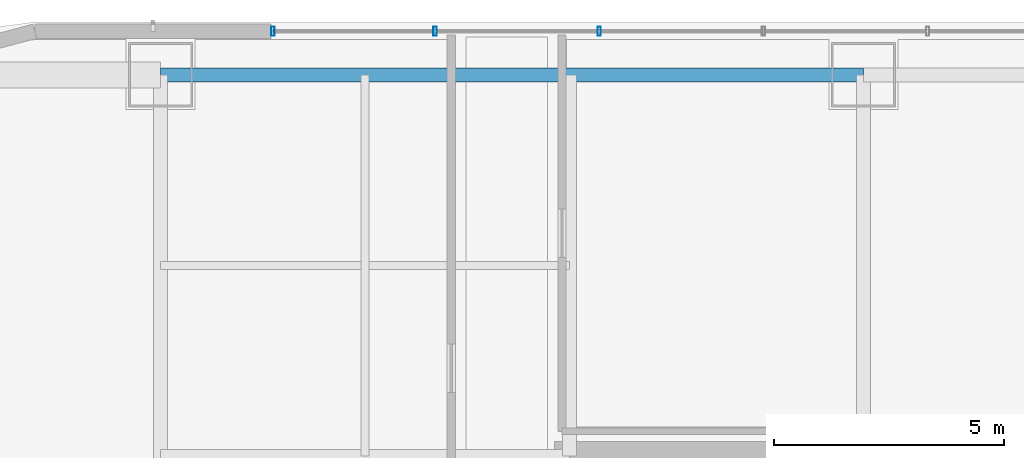
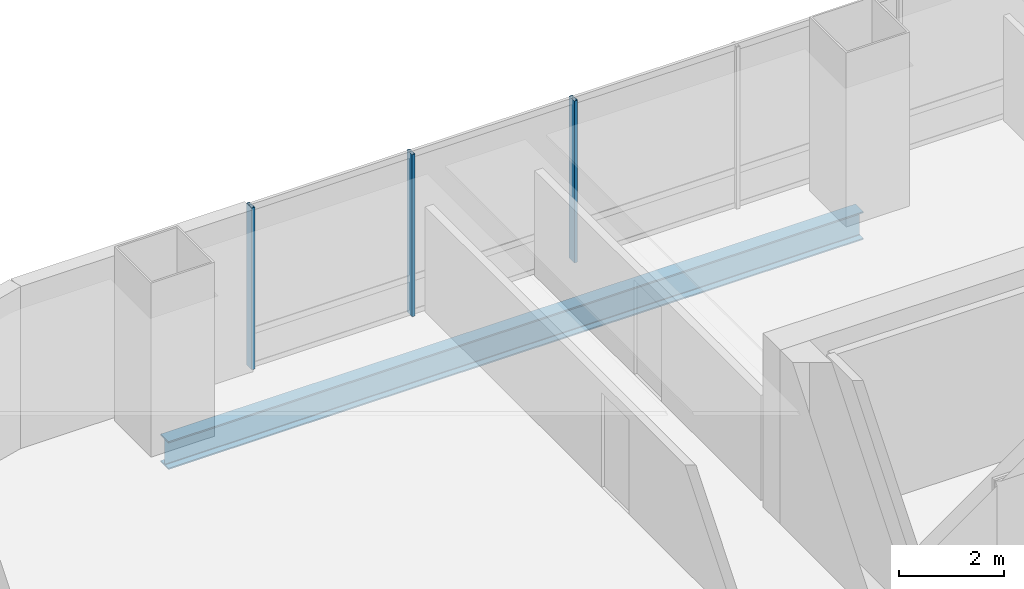
# One storey, part 22 of 46: 3 members, 1 beam, 1 element without a shape of its own.
"""IFC4 building model written with IfcOpenShell, lengths in metres."""

from ifc_helpers import new_model, si_unit, direction, frame, origin, origin_2d, place, context, subcontext, project, spatial, hollow_rectangle, i_section, extrude, material, material_profile, profile_set, type_object, element, aggregate, save


model = new_model("IFC4")

# Units and contexts
model_context = context("Model", 3, precision=1e-05, world=origin(), true_north=direction((0.0, 1.0)))
body_context = subcontext(model_context, "Body", "Model", "MODEL_VIEW")
ifc_project = project(units=[si_unit("LENGTHUNIT", "METRE"), si_unit("AREAUNIT", "SQUARE_METRE"), si_unit("VOLUMEUNIT", "CUBIC_METRE"), si_unit("PLANEANGLEUNIT", "RADIAN"), si_unit("MASSUNIT", "GRAM", prefix="KILO")], contexts=[model_context])

# Site, building, storey
site_placement = place(None, origin())
site = spatial("IfcSite", under=ifc_project, at=site_placement, CompositionType="ELEMENT")
building_placement = place(site_placement, origin())
building = spatial("IfcBuilding", under=site, at=building_placement, Name="Punatoya Terracotta Tower", CompositionType="ELEMENT")
storey_placement = place(building_placement, frame((0.0, 0.0, 200.550048828125)))
storey = spatial("IfcBuildingStorey", under=building, at=storey_placement, Name="L47", CompositionType="ELEMENT", Elevation=200.550048828125)

# Beam
ifc_material_1 = material(Name="Steel S355", Category="steel")
ifc_material_profile_1 = material_profile(ifc_material_1, i_section(OverallWidth=0.300048828125, OverallDepth=0.64990234375, WebThickness=0.01611328125, FlangeThickness=0.031005859375, FilletRadius=0.01806640625, at=origin_2d()))
ifc_profile_set_1 = profile_set([ifc_material_profile_1], Name="Steel S355")
beam_type = type_object("IfcBeamType", Name="BM-PRI-650", PredefinedType="BEAM", material=ifc_profile_set_1)
beam_placement = place(storey_placement, frame((-19.10009765625, 17.5, -0.545166015625), z_axis=(1.0, 0.0, 0.0), x_axis=(0.0, 1.0, 0.0)))
element("IfcBeam", 1, at=beam_placement, inside=storey, type_object=beam_type, Name="BM-L47-RG-N1", PredefinedType="BEAM", context=body_context, shape_type="SweptSolid", body=[
    extrude(i_section(OverallWidth=0.300048828125, OverallDepth=0.64990234375, WebThickness=0.01611328125, FlangeThickness=0.031005859375, FilletRadius=0.01806640625, at=origin_2d()), origin(), (0.0, 0.0, 1.0), 15.300048828125),
])

# Curtain wall, members
ifc_material_2 = material(Name="Aluminium 6063-T6 + Double Low-E Glass", Category="aluminium")
curtain_wall_type = type_object("IfcCurtainWallType", Name="CW-M2", PredefinedType="NOTDEFINED", material=ifc_material_2)
curtain_wall_placement = place(storey_placement, origin())
curtain_wall = element("IfcCurtainWall", 2, at=curtain_wall_placement, inside=storey, type_object=curtain_wall_type, Name="L47 Curtain Wall CW-L47-N09-1", PredefinedType="NOTDEFINED")
ifc_material_3 = material(Name="Aluminium 6063-T6", Category="aluminium")
ifc_material_profile_2 = material_profile(ifc_material_3, hollow_rectangle(XDim=0.072021484375, YDim=0.195068359375, WallThickness=0.00439453125, at=origin_2d()))
ifc_profile_set_2 = profile_set([ifc_material_profile_2], Name="Aluminium 6063-T6")
member_type = type_object("IfcMemberType", Name="CW-MUL-M2", PredefinedType="MULLION", material=ifc_profile_set_2)
member_1_placement = place(storey_placement, frame((-9.550048828125, 18.449951171875, 0.0), z_axis=(0.0, 0.0, 1.0), x_axis=(1.0, 0.0, 0.0)))
member_1 = element("IfcMember", 3, at=member_1_placement, type_object=member_type, Name="CW-L47-N09-1 Mullion 06", PredefinedType="MULLION", context=body_context, shape_type="SweptSolid", body=[
    extrude(hollow_rectangle(XDim=0.072021484375, YDim=0.195068359375, WallThickness=0.00439453125, at=origin_2d()), origin(), (0.0, 0.0, 1.0), 3.77001953125),
])
member_2_placement = place(storey_placement, frame((-13.125, 18.449951171875, 0.0), z_axis=(0.0, 0.0, 1.0), x_axis=(1.0, 0.0, 0.0)))
member_2 = element("IfcMember", 4, at=member_2_placement, type_object=member_type, Name="CW-L47-N09-1 Mullion 07", PredefinedType="MULLION", context=body_context, shape_type="SweptSolid", body=[
    extrude(hollow_rectangle(XDim=0.072021484375, YDim=0.195068359375, WallThickness=0.00439453125, at=origin_2d()), origin(), (0.0, 0.0, 1.0), 3.77001953125),
])
member_3_placement = place(storey_placement, frame((-16.655029296875, 18.449951171875, 0.0), z_axis=(0.0, 0.0, 1.0), x_axis=(1.0, 0.0, 0.0)))
member_3 = element("IfcMember", 5, at=member_3_placement, type_object=member_type, Name="CW-L47-N09-1 Mullion 08", PredefinedType="MULLION", context=body_context, shape_type="SweptSolid", body=[
    extrude(hollow_rectangle(XDim=0.072021484375, YDim=0.195068359375, WallThickness=0.00439453125, at=origin_2d()), origin(), (0.0, 0.0, 1.0), 3.77001953125),
])
aggregate(curtain_wall, [member_1, member_2, member_3])

save(model, "model.ifc")
